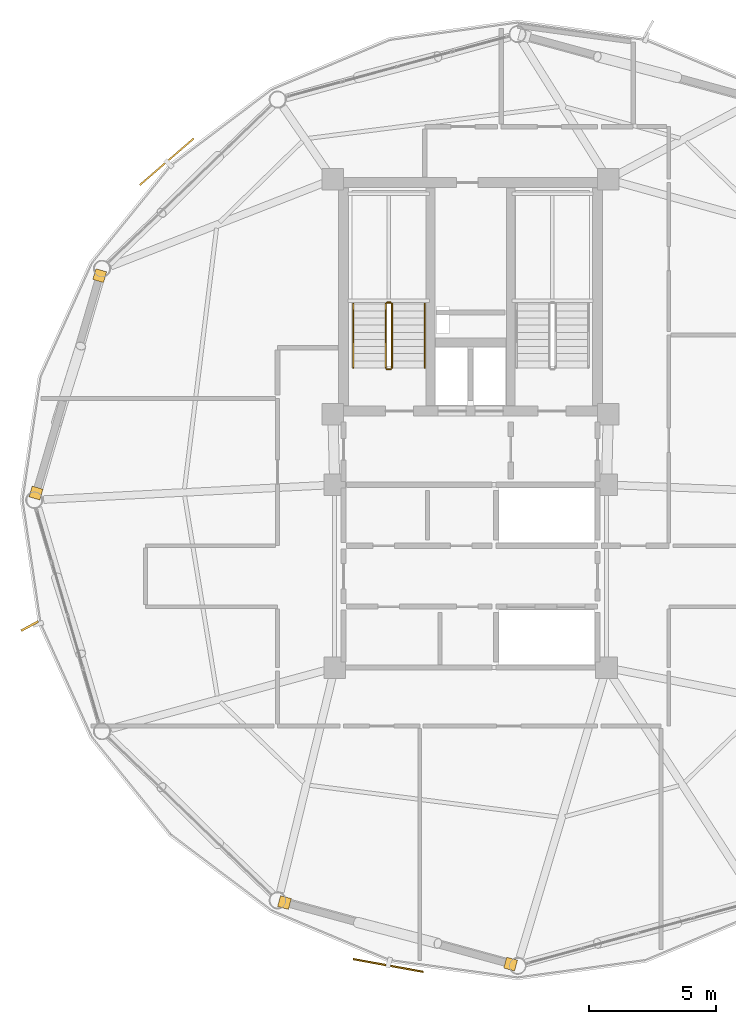
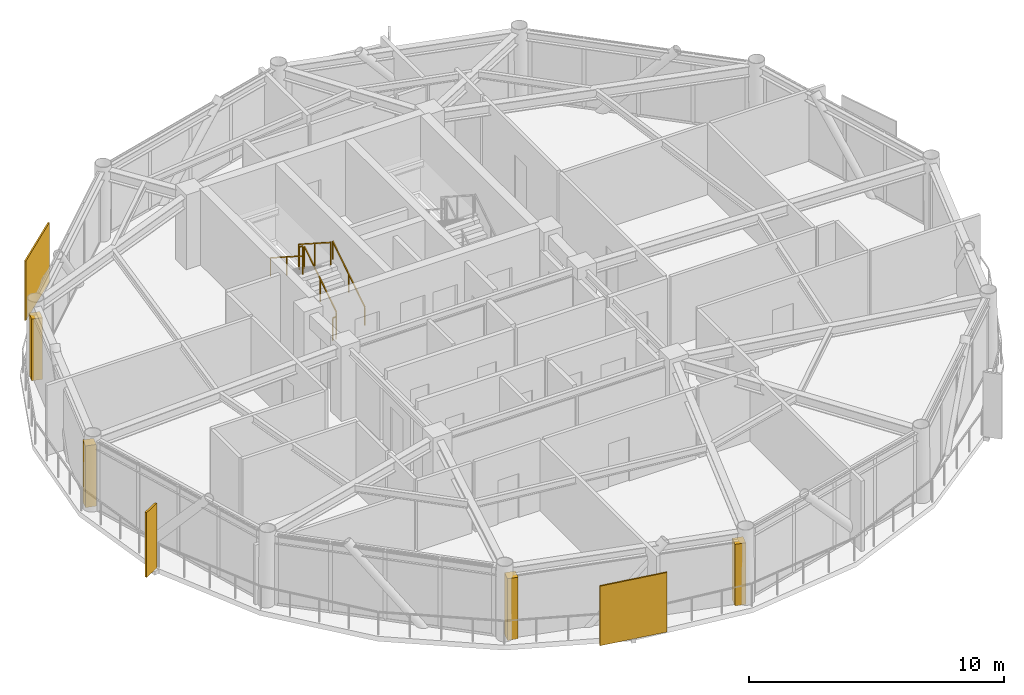
# One storey, part 24 of 26: 6 railings, 4 coverings, 3 shading devices.
"""IFC4 building model written with IfcOpenShell, lengths in metres."""

from ifc_helpers import new_model, si_unit, direction, frame, origin, origin_2d, place, context, subcontext, project, spatial, rectangle, extrude, source, transform, mapped, material, layer, layer_set, type_object, type_shapes, element, save


model = new_model("IFC4")

# Units and contexts
model_context = context("Model", 3, precision=1e-05, world=origin(), true_north=direction((0.0, 1.0)))
body_context = subcontext(model_context, "Body", "Model", "MODEL_VIEW")
ifc_project = project(units=[si_unit("LENGTHUNIT", "METRE"), si_unit("AREAUNIT", "SQUARE_METRE"), si_unit("VOLUMEUNIT", "CUBIC_METRE"), si_unit("PLANEANGLEUNIT", "RADIAN"), si_unit("MASSUNIT", "GRAM", prefix="KILO")], contexts=[model_context])

# Site, building, storey
site_placement = place(None, origin())
site = spatial("IfcSite", under=ifc_project, at=site_placement, CompositionType="ELEMENT")
building_placement = place(site_placement, origin())
building = spatial("IfcBuilding", under=site, at=building_placement, Name="Varnakorn Sky Granary", CompositionType="ELEMENT")
storey_placement = place(building_placement, frame((0.0, 0.0, 218.39990234375)))
storey = spatial("IfcBuildingStorey", under=building, at=storey_placement, Name="L55", CompositionType="ELEMENT", Elevation=218.39990234375)

# Railings
ifc_material_1 = material(Name="Brushed Stainless Steel 316", Category="steel")
railing_type_1 = type_object("IfcRailingType", Name="RL-STAIR-1100", PredefinedType="GUARDRAIL", material=ifc_material_1)
railing_1_placement = place(storey_placement, frame((-0.090087890625, 5.199951171875, 0.18017578125)))
element("IfcRailing", 1, at=railing_1_placement, inside=storey, type_object=railing_type_1, Name="L55 ST-1 stair guard 1", PredefinedType="GUARDRAIL", context=body_context, shape_type="SweptSolid", body=[
    extrude(rectangle(XDim=0.048095703125, YDim=0.048095703125, at=origin_2d()), frame((0.0, 0.0, 1.076171875), z_axis=(0.0, 0.841199657755, 0.540724639528), x_axis=(-1.0, 0.0, 0.0)), (0.0, 0.0, 1.0), 2.995849609375),
    extrude(rectangle(XDim=0.0419921875, YDim=0.0419921875, at=origin_2d()), origin(), (0.0, 0.0, 1.0), 1.048095703125),
    extrude(rectangle(XDim=0.0419921875, YDim=0.0419921875, at=origin_2d()), frame((0.0, 1.260009765625, 0.81005859375)), (0.0, 0.0, 1.0), 1.048095703125),
    extrude(rectangle(XDim=0.0419921875, YDim=0.0419921875, at=origin_2d()), frame((0.0, 2.52001953125, 1.619873046875)), (0.0, 0.0, 1.0), 1.048095703125),
])
railing_2_placement = place(storey_placement, frame((-0.139892578125, 7.77001953125, 1.800048828125)))
element("IfcRailing", 2, at=railing_2_placement, inside=storey, type_object=railing_type_1, Name="L55 ST-1 stair guard 2", PredefinedType="GUARDRAIL", context=body_context, shape_type="SweptSolid", body=[
    extrude(rectangle(XDim=0.048095703125, YDim=0.048095703125, at=origin_2d()), frame((0.0, 0.0, 1.076171875), z_axis=(-1.0, 0.0, 0.0), x_axis=(0.0, -1.0, 0.0)), (0.0, 0.0, 1.0), 0.150146484375),
    extrude(rectangle(XDim=0.0419921875, YDim=0.0419921875, at=origin_2d()), origin(), (0.0, 0.0, 1.0), 1.048095703125),
    extrude(rectangle(XDim=0.0419921875, YDim=0.0419921875, at=origin_2d()), frame((-0.150146484375, 0.0, 0.0)), (0.0, 0.0, 1.0), 1.048095703125),
])
railing_3_placement = place(storey_placement, frame((-0.340087890625, 7.719970703125, 1.97998046875)))
element("IfcRailing", 3, at=railing_3_placement, inside=storey, type_object=railing_type_1, Name="L55 ST-1 stair guard 3", PredefinedType="GUARDRAIL", context=body_context, shape_type="SweptSolid", body=[
    extrude(rectangle(XDim=0.048095703125, YDim=0.048095703125, at=origin_2d()), frame((0.0, 0.0, 1.076171875), z_axis=(0.0, -0.841162588446, 0.540782303519), x_axis=(1.0, 0.0, 0.0)), (0.0, 0.0, 1.0), 2.995849609375),
    extrude(rectangle(XDim=0.0419921875, YDim=0.0419921875, at=origin_2d()), origin(), (0.0, 0.0, 1.0), 1.048095703125),
    extrude(rectangle(XDim=0.0419921875, YDim=0.0419921875, at=origin_2d()), frame((0.0, -1.260009765625, 0.81005859375)), (0.0, 0.0, 1.0), 1.048095703125),
    extrude(rectangle(XDim=0.0419921875, YDim=0.0419921875, at=origin_2d()), frame((0.0, -2.52001953125, 1.6201171875)), (0.0, 0.0, 1.0), 1.048095703125),
])
railing_4_placement = place(storey_placement, frame((-0.139892578125, 5.14990234375, 0.0)))
element("IfcRailing", 4, at=railing_4_placement, inside=storey, type_object=railing_type_1, Name="L55 ST-1 stair guard 4", PredefinedType="GUARDRAIL", context=body_context, shape_type="SweptSolid", body=[
    extrude(rectangle(XDim=0.048095703125, YDim=0.048095703125, at=origin_2d()), frame((0.0, 0.0, 1.076171875), z_axis=(-1.0, 0.0, 0.0), x_axis=(0.0, -1.0, 0.0)), (0.0, 0.0, 1.0), 0.150146484375),
    extrude(rectangle(XDim=0.0419921875, YDim=0.0419921875, at=origin_2d()), origin(), (0.0, 0.0, 1.0), 1.048095703125),
    extrude(rectangle(XDim=0.0419921875, YDim=0.0419921875, at=origin_2d()), frame((-0.150146484375, 0.0, 0.0)), (0.0, 0.0, 1.0), 1.048095703125),
])
railing_type_2 = type_object("IfcRailingType", Name="RL-STAIR-920", PredefinedType="HANDRAIL", material=ifc_material_1)
railing_5_placement = place(storey_placement, frame((1.18994140625, 5.199951171875, 0.18017578125)))
element("IfcRailing", 5, at=railing_5_placement, inside=storey, type_object=railing_type_2, Name="L55 ST-1 stair handrail 1", PredefinedType="HANDRAIL", context=body_context, shape_type="SweptSolid", body=[
    extrude(rectangle(XDim=0.048095703125, YDim=0.048095703125, at=origin_2d()), frame((0.0, 0.0, 0.8759765625), z_axis=(0.0, 0.841199657755, 0.540724639528), x_axis=(-1.0, 0.0, 0.0)), (0.0, 0.0, 1.0), 2.995849609375),
    extrude(rectangle(XDim=0.0419921875, YDim=0.0419921875, at=origin_2d()), origin(), (0.0, 0.0, 1.0), 0.847900390625),
    extrude(rectangle(XDim=0.0419921875, YDim=0.0419921875, at=origin_2d()), frame((0.0, 1.260009765625, 0.81005859375)), (0.0, 0.0, 1.0), 0.847900390625),
    extrude(rectangle(XDim=0.0419921875, YDim=0.0419921875, at=origin_2d()), frame((0.0, 2.52001953125, 1.619873046875)), (0.0, 0.0, 1.0), 0.847900390625),
])
railing_6_placement = place(storey_placement, frame((-1.6201171875, 7.719970703125, 1.97998046875)))
element("IfcRailing", 6, at=railing_6_placement, inside=storey, type_object=railing_type_2, Name="L55 ST-1 stair handrail 2", PredefinedType="HANDRAIL", context=body_context, shape_type="SweptSolid", body=[
    extrude(rectangle(XDim=0.048095703125, YDim=0.048095703125, at=origin_2d()), frame((0.0, 0.0, 0.8759765625), z_axis=(0.0, -0.841162588446, 0.540782303519), x_axis=(1.0, 0.0, 0.0)), (0.0, 0.0, 1.0), 2.995849609375),
    extrude(rectangle(XDim=0.0419921875, YDim=0.0419921875, at=origin_2d()), origin(), (0.0, 0.0, 1.0), 0.847900390625),
    extrude(rectangle(XDim=0.0419921875, YDim=0.0419921875, at=origin_2d()), frame((0.0, -1.260009765625, 0.81005859375)), (0.0, 0.0, 1.0), 0.847900390625),
    extrude(rectangle(XDim=0.0419921875, YDim=0.0419921875, at=origin_2d()), frame((0.0, -2.52001953125, 1.6201171875)), (0.0, 0.0, 1.0), 0.847900390625),
])

# Coverings
ifc_material_2 = material(Name="Anodised Bronze Aluminium Alloy 6063-T6", Category="aluminium")
ifc_layer = layer(ifc_material_2, 0.050048828125, Name="Anodised Bronze Aluminium Alloy 6063-T6")
ifc_layer_set = layer_set([ifc_layer], Name="Anodised Bronze Aluminium Alloy 6063-T6")
covering_type = type_object("IfcCoveringType", Name="CV-CLAD-50", PredefinedType="CLADDING", material=ifc_layer_set)
shared_shape_1 = source(origin(), body_context, "Body", "SweptSolid", [
    extrude(rectangle(XDim=0.43994140625, YDim=0.43994140625, at=origin_2d()), origin(), (0.0, 0.0, 1.0), 2.949951171875),
])
type_shapes(covering_type, [shared_shape_1])
for number, where, z_axis, x_axis, name in (
    (7, (-14.10693359375, 0.2734375, -0.02001953125), (0.0, 0.0, 1.0), (0.2811692233, 0.959658203669, 0.0), "Bronze Corner Pilaster Closure L55-P06-A"),
    (8, (-11.599609375, 8.8310546875, -0.02001953125), (0.0, 0.0, 1.0), (0.2811692233, 0.959658203669, 0.0), "Bronze Corner Pilaster Closure L55-P06-B"),
    (9, (4.574951171875, -18.26904296875, -0.02001953125), (0.0, 0.0, 1.0), (-0.964833216741, 0.262862823299, 0.0), "Bronze Corner Pilaster Closure L55-P09-A"),
    (10, (-4.325927734375, -15.844482421875, -0.02001953125), (0.0, 0.0, 1.0), (-0.964833216741, 0.262862823299, 0.0), "Bronze Corner Pilaster Closure L55-P09-B"),
):
    element("IfcCovering", number, at=place(storey_placement, frame(where, z_axis=z_axis, x_axis=x_axis)), inside=storey, type_object=covering_type, Name=name, PredefinedType="CLADDING", context=body_context, shape_type="MappedRepresentation", body=[
        mapped(shared_shape_1, transform((0.0, 0.0, 0.0), x_axis=(1.0, 0.0, 0.0), y_axis=(0.0, 1.0, 0.0), z_axis=(0.0, 0.0, 1.0), scale=1.0)),
    ])

# Shading devices
shading_device_type_1 = type_object("IfcShadingDeviceType", Name="SH-FIN-03", PredefinedType="USERDEFINED", material=ifc_material_2)
shared_shape_2 = source(origin(), body_context, "Body", "SweptSolid", [
    extrude(rectangle(XDim=0.0849609375, YDim=0.760009765625, at=origin_2d()), origin(), (0.0, 0.0, 1.0), 3.10009765625),
])
type_shapes(shading_device_type_1, [shared_shape_2])
shading_device_placement = place(storey_placement, frame((-14.355712890625, -4.96240234375, -0.0400390625), z_axis=(0.0, 0.0, 1.0), x_axis=(0.476927141576, -0.878942831832, 0.0)))
element("IfcShadingDevice", 11, at=shading_device_placement, inside=storey, type_object=shading_device_type_1, Name="Bronze Solar-Tracking Vertical Blade FIN L55-07", ObjectType="FIN", PredefinedType="USERDEFINED", context=body_context, shape_type="MappedRepresentation", body=[
    mapped(shared_shape_2, transform((0.0, 0.0, 0.0), x_axis=(1.0, 0.0, 0.0), y_axis=(0.0, 1.0, 0.0), z_axis=(0.0, 0.0, 1.0), scale=1.0)),
])
shading_device_type_2 = type_object("IfcShadingDeviceType", Name="SH-SCR-03", PredefinedType="USERDEFINED", material=ifc_material_2)
shared_shape_3 = source(origin(), body_context, "Body", "SweptSolid", [
    extrude(rectangle(XDim=2.800048828125, YDim=0.06494140625, at=origin_2d()), origin(), (0.0, 0.0, 1.0), 2.85009765625),
])
type_shapes(shading_device_type_2, [shared_shape_3])
for number, where, z_axis, x_axis, name in (
    (12, (-8.960693359375, 13.314453125, -0.0400390625), (0.0, 0.0, 1.0), (-0.757015349699, -0.653397092372, 0.0), "Perforated Bronze Solar Screen Panel SCREEN L55-05"),
    (13, (-0.2412109375, -18.322021484375, -0.0400390625), (0.0, 0.0, 1.0), (0.98395128501, -0.178437296345, 0.0), "Perforated Bronze Solar Screen Panel SCREEN L55-09"),
):
    element("IfcShadingDevice", number, at=place(storey_placement, frame(where, z_axis=z_axis, x_axis=x_axis)), inside=storey, type_object=shading_device_type_2, Name=name, ObjectType="SCREEN", PredefinedType="USERDEFINED", context=body_context, shape_type="MappedRepresentation", body=[
        mapped(shared_shape_3, transform((0.0, 0.0, 0.0), x_axis=(1.0, 0.0, 0.0), y_axis=(0.0, 1.0, 0.0), z_axis=(0.0, 0.0, 1.0), scale=1.0)),
    ])

save(model, "model.ifc")
